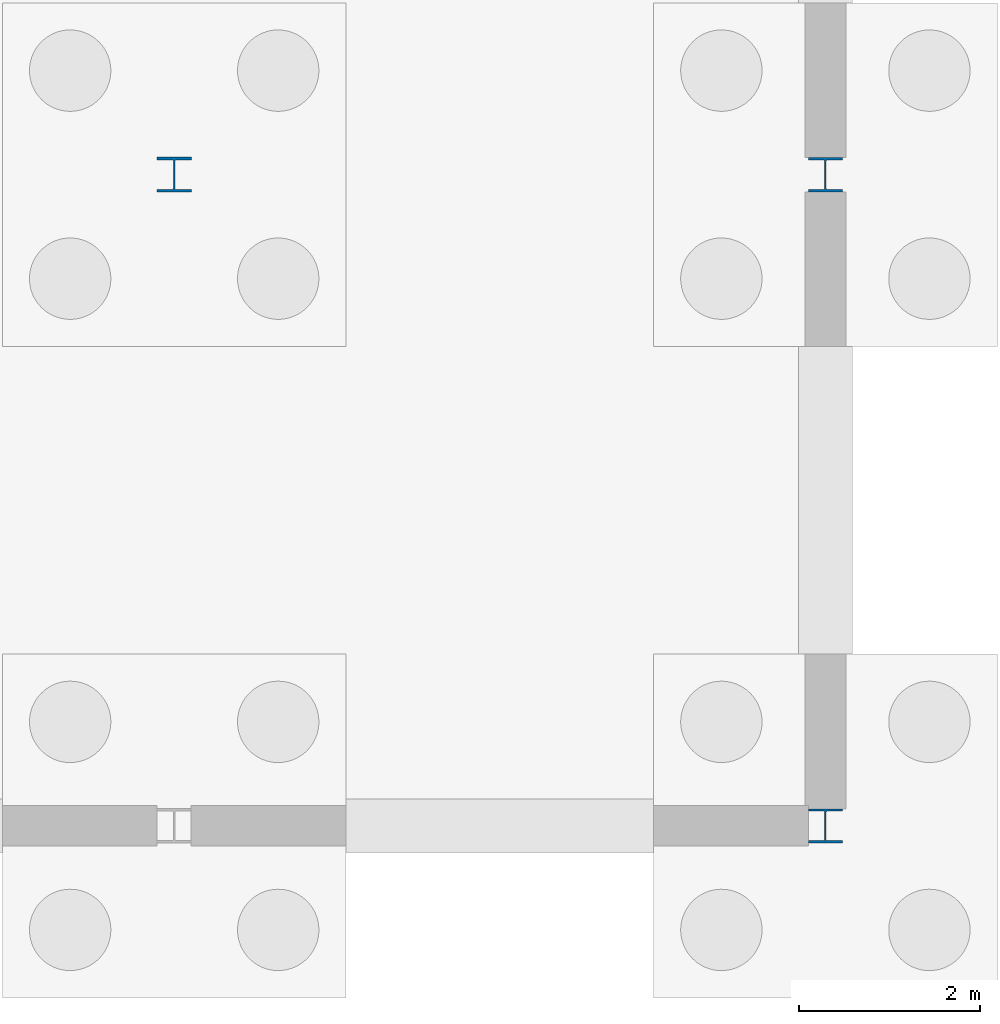
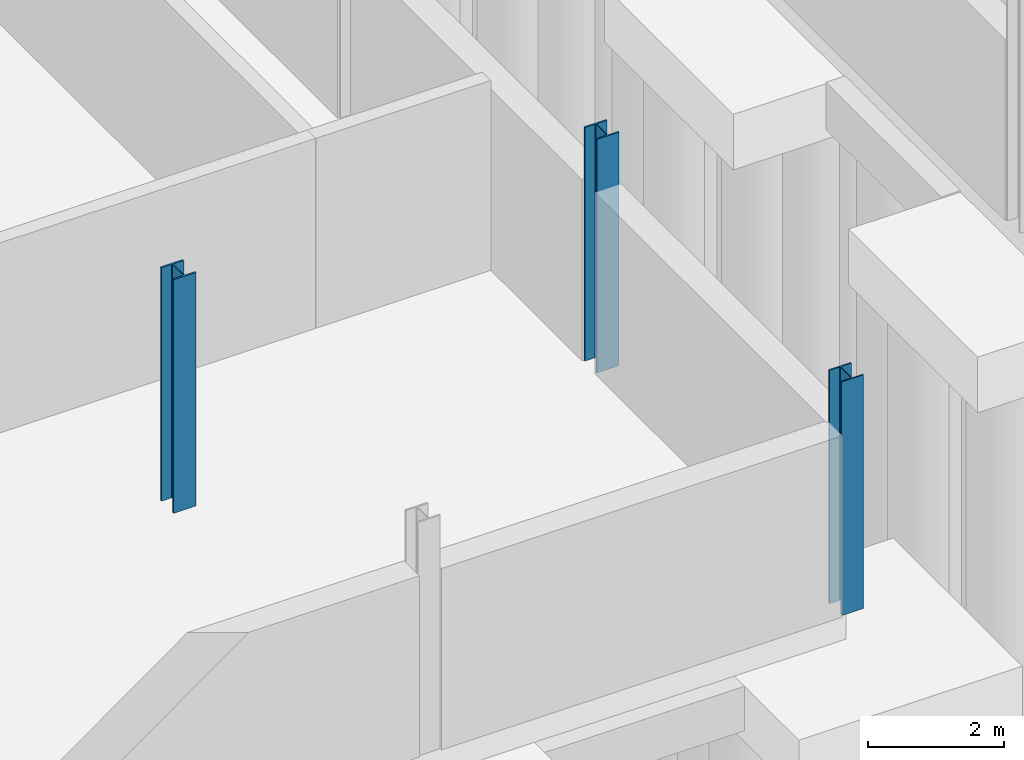
# One storey, part 11 of 50: 3 columns.
"""IFC4 building model written with IfcOpenShell, lengths in metres."""

import ifcopenshell
import ifcopenshell.guid

model = None  # the IFC model being written
_history = None  # IfcOwnerHistory: only IFC2X3 demands one
_inside = {}  # id of a spatial element -> (the spatial element, [elements in it])
_under = {}  # id of a project, library or spatial element -> (it, [spatial elements below it])
_declared = {}  # id of a project -> (the project, [libraries it declares])
_typed = {}  # id of a type object -> (the type object, [elements of that type])
_made_of = {}  # id of a material, layer set ... -> (it, [elements and type objects made of it])


def new_model(schema):
    """Start an empty IFC model of exactly this schema.

    Asked for "IFC4X3", IfcOpenShell would pick the latest addendum, in which some entities
    have other attributes; the version numbers below select the first issue.
    IFC2X3 requires an IfcOwnerHistory on every rooted entity: one is made here for all.
    """
    global model, _history
    if schema == "IFC4X3":
        model = ifcopenshell.file(schema_version=(4, 3, 0, 0))
    else:
        model = ifcopenshell.file(schema=schema)
    _inside.clear()
    _under.clear()
    _declared.clear()
    _typed.clear()
    _made_of.clear()
    _history = None
    if model.schema == "IFC2X3":
        org = make("IfcOrganization", Name="unknown")
        user = make(
            "IfcPersonAndOrganization",
            ThePerson=make("IfcPerson", FamilyName="unknown"),
            TheOrganization=org,
        )
        app = make(
            "IfcApplication",
            ApplicationDeveloper=org,
            Version="unknown",
            ApplicationFullName="unknown",
            ApplicationIdentifier="unknown",
        )
        _history = make(
            "IfcOwnerHistory",
            OwningUser=user,
            OwningApplication=app,
            ChangeAction="ADDED",
            CreationDate=0,
        )
    return model


def make(cls, **values):
    """One entity of the class cls with the attributes given. An attribute that is None is left unset."""
    return model.create_entity(
        cls, **{name: value for name, value in values.items() if value is not None}
    )


def rooted(cls, **values):
    """An entity with a GlobalId (a new one), such as an element, a storey or a relation."""
    return make(cls, GlobalId=ifcopenshell.guid.new(), OwnerHistory=_history, **values)


def si_unit(unit_type, name, prefix=None):
    """IfcSIUnit, for example si_unit("LENGTHUNIT", "METRE", prefix="MILLI")."""
    return make("IfcSIUnit", UnitType=unit_type, Prefix=prefix, Name=name)


def assignment(units):
    """IfcUnitAssignment: the units of a project."""
    return None if units is None else make("IfcUnitAssignment", Units=units)


def point(xyz):
    """IfcCartesianPoint."""
    return None if xyz is None else make("IfcCartesianPoint", Coordinates=xyz)


def direction(xyz):
    """IfcDirection."""
    return None if xyz is None else make("IfcDirection", DirectionRatios=xyz)


def frame(location, z_axis=None, x_axis=None):
    """IfcAxis2Placement3D, a coordinate frame: its origin and axes. An axis left out is left unset."""
    return make(
        "IfcAxis2Placement3D",
        Location=point(location),
        Axis=direction(z_axis),
        RefDirection=direction(x_axis),
    )


def frame_2d(location, x_axis=None):
    """IfcAxis2Placement2D, a coordinate frame in the plane: its origin and x axis."""
    return make(
        "IfcAxis2Placement2D", Location=point(location), RefDirection=direction(x_axis)
    )


def origin():
    """The frame at (0, 0, 0) with its axes left unset."""
    return frame((0.0, 0.0, 0.0))


def origin_2d():
    """The frame at (0, 0) in the plane with its x axis left unset."""
    return frame_2d((0.0, 0.0))


def place(relative_to, where):
    """IfcLocalPlacement: puts the frame where relative to a parent placement (None: the world)."""
    return make(
        "IfcLocalPlacement", PlacementRelTo=relative_to, RelativePlacement=where
    )


def context(
    kind, dimensions, precision=None, world=None, true_north=None, identifier=None
):
    """IfcGeometricRepresentationContext, for example the 3D "Model" context."""
    return make(
        "IfcGeometricRepresentationContext",
        ContextIdentifier=identifier,
        ContextType=kind,
        CoordinateSpaceDimension=dimensions,
        Precision=precision,
        WorldCoordinateSystem=world,
        TrueNorth=true_north,
    )


def subcontext(parent, identifier, kind, view, scale=None):
    """IfcGeometricRepresentationSubContext, for example "Body" below "Model"."""
    return make(
        "IfcGeometricRepresentationSubContext",
        ContextIdentifier=identifier,
        ContextType=kind,
        ParentContext=parent,
        TargetScale=scale,
        TargetView=view,
    )


def project(units=None, contexts=None):
    """IfcProject with its units and contexts."""
    return rooted(
        "IfcProject",
        Name="project",
        RepresentationContexts=contexts,
        UnitsInContext=assignment(units),
    )


def spatial(cls, under=None, at=None, **own):
    """A site, building, storey or space (cls), placed at a placement, below another one or the project."""
    s = rooted(cls, ObjectPlacement=at, **own)
    if under is not None:
        _under.setdefault(under.id(), (under, []))[1].append(s)
    return s


def profile(cls, at=None, kind="AREA", **sizes):
    """A parametric profile (cls). Its sizes go by their IFC names, for example OverallWidth=200.0."""
    return make(cls, ProfileType=kind, Position=at, **sizes)


def i_section(**sizes):
    """IfcIShapeProfileDef."""
    return profile("IfcIShapeProfileDef", **sizes)


def extrude(swept, where, along, depth):
    """IfcExtrudedAreaSolid: the profile swept, set in the frame where, extruded along a direction by depth."""
    return make(
        "IfcExtrudedAreaSolid",
        SweptArea=swept,
        Position=where,
        ExtrudedDirection=direction(along),
        Depth=depth,
    )


def shape(context_of_items, identifier, shape_type, items):
    """IfcShapeRepresentation: the items that make up one representation, for example the "Body"."""
    return make(
        "IfcShapeRepresentation",
        ContextOfItems=context_of_items,
        RepresentationIdentifier=identifier,
        RepresentationType=shape_type,
        Items=items,
    )


def material(Name=None, Category=None):
    """IfcMaterial."""
    return make("IfcMaterial", Name=Name, Category=Category)


def material_profile(
    of_material, cross_section, Name=None, Category=None, Priority=None
):
    """IfcMaterialProfile: a cross section and its material."""
    return make(
        "IfcMaterialProfile",
        Name=Name,
        Material=of_material,
        Profile=cross_section,
        Priority=Priority,
        Category=Category,
    )


def profile_set(profiles, Name=None, composite=None):
    """IfcMaterialProfileSet."""
    return make(
        "IfcMaterialProfileSet",
        Name=Name,
        MaterialProfiles=profiles,
        CompositeProfile=composite,
    )


def made_of(thing, what):
    """Note that an element or type object is made of a material, layer set ...; save() writes the relation."""
    if what is not None:
        _made_of.setdefault(what.id(), (what, []))[1].append(thing)
    return thing


def type_object(cls, material=None, **own):
    """A type object (cls), such as IfcWallType, which elements share."""
    return made_of(rooted(cls, **own), material)


def element(
    cls,
    number,
    at=None,
    inside=None,
    cuts=None,
    type_object=None,
    material=None,
    context=None,
    identifier="Body",
    shape_type=None,
    held_by="IfcProductDefinitionShape",
    body=None,
    shapes=None,
    **own,
):
    """One element of the class cls, such as IfcWall. Its Tag is "e" and its number.

    at: its placement. inside: the storey or other place that contains it. cuts: it is an
    opening in that element (IfcRelVoidsElement). A single representation is given by context,
    identifier, shape_type and body (its items); several are given by shapes. held_by: the class
    of the entity that holds the representations. save() writes the other relations.
    """
    e = rooted(cls, Tag="e%d" % number, ObjectPlacement=at, **own)
    if body is not None:
        shapes = [shape(context, identifier, shape_type, body)]
    if shapes is not None:
        e.Representation = make(held_by, Representations=shapes)
    if inside is not None:
        _inside.setdefault(inside.id(), (inside, []))[1].append(e)
    if cuts is not None:
        rooted(
            "IfcRelVoidsElement", RelatingBuildingElement=cuts, RelatedOpeningElement=e
        )
    if type_object is not None:
        _typed.setdefault(type_object.id(), (type_object, []))[1].append(e)
    return made_of(e, material)


def aggregate(whole, parts):
    """IfcRelAggregates: a whole, such as a stair, and the parts it consists of."""
    return rooted("IfcRelAggregates", RelatingObject=whole, RelatedObjects=parts)


def save(model, path):
    """Write the relations noted so far, then the file.

    IfcRelAggregates (storeys below a building ...), IfcRelContainedInSpatialStructure (elements
    in a storey), IfcRelDefinesByType, IfcRelAssociatesMaterial and IfcRelDeclares: one each for
    every whole, place, type object, material and project.
    """
    for whole, parts in _under.values():
        aggregate(whole, parts)
    for where, things in _inside.values():
        rooted(
            "IfcRelContainedInSpatialStructure",
            RelatedElements=things,
            RelatingStructure=where,
        )
    for kind, things in _typed.values():
        rooted("IfcRelDefinesByType", RelatedObjects=things, RelatingType=kind)
    for what, things in _made_of.values():
        rooted("IfcRelAssociatesMaterial", RelatedObjects=things, RelatingMaterial=what)
    for by, libraries in _declared.values():
        rooted("IfcRelDeclares", RelatingContext=by, RelatedDefinitions=libraries)
    model.write(path)


model = new_model("IFC4")

# Units and contexts
model_context = context("Model", 3, precision=1e-05, world=origin(), true_north=direction((0.0, 1.0)))
body_context = subcontext(model_context, "Body", "Model", "MODEL_VIEW")
ifc_project = project(units=[si_unit("LENGTHUNIT", "METRE"), si_unit("AREAUNIT", "SQUARE_METRE"), si_unit("VOLUMEUNIT", "CUBIC_METRE"), si_unit("PLANEANGLEUNIT", "RADIAN"), si_unit("MASSUNIT", "GRAM", prefix="KILO")], contexts=[model_context])

# Site, building, storey
site_placement = place(None, origin())
site = spatial("IfcSite", under=ifc_project, at=site_placement, CompositionType="ELEMENT")
building_placement = place(site_placement, origin())
building = spatial("IfcBuilding", under=site, at=building_placement, Name="Narikvali Park Central Library", CompositionType="ELEMENT")
storey_placement = place(building_placement, frame((0.0, 0.0, -4.199951171875)))
storey = spatial("IfcBuildingStorey", under=building, at=storey_placement, Name="B1", CompositionType="ELEMENT", Elevation=-4.199951171875)

# Columns
ifc_material = material(Name="Steel S355", Category="steel")
ifc_material_profile_1 = material_profile(ifc_material, i_section(OverallWidth=0.375, OverallDepth=0.375, WebThickness=0.014892578125, FlangeThickness=0.0244140625, FilletRadius=0.014892578125, at=origin_2d()), Name="HD 360x216")
ifc_profile_set_1 = profile_set([ifc_material_profile_1], Name="Steel S355")
column_type_1 = type_object("IfcColumnType", Name="Atrium Corner Column HD360x216", PredefinedType="COLUMN", material=ifc_profile_set_1)
column_1_placement = place(storey_placement, frame((57.60009765625, 50.39990234375, 0.0), z_axis=(0.0, 0.0, 1.0), x_axis=(1.0, 0.0, 0.0)))
element("IfcColumn", 1, at=column_1_placement, inside=storey, type_object=column_type_1, Name="V4 B1 Column (57.6,50.4)", PredefinedType="COLUMN", context=body_context, shape_type="SweptSolid", body=[
    extrude(i_section(OverallWidth=0.375, OverallDepth=0.375, WebThickness=0.014892578125, FlangeThickness=0.0244140625, FilletRadius=0.014892578125, at=origin_2d()), origin(), (0.0, 0.0, 1.0), 4.199951171875),
])
ifc_material_profile_2 = material_profile(ifc_material, i_section(OverallWidth=0.3759765625, OverallDepth=0.3798828125, WebThickness=0.0166015625, FlangeThickness=0.026611328125, FilletRadius=0.014892578125, at=origin_2d()), Name="HD 360x237")
ifc_profile_set_2 = profile_set([ifc_material_profile_2], Name="Steel S355")
column_type_2 = type_object("IfcColumnType", Name="Atrium Edge Column HD360x237", PredefinedType="COLUMN", material=ifc_profile_set_2)
column_2_placement = place(storey_placement, frame((57.60009765625, 57.60009765625, 0.0), z_axis=(0.0, 0.0, 1.0), x_axis=(1.0, 0.0, 0.0)))
element("IfcColumn", 2, at=column_2_placement, inside=storey, type_object=column_type_2, Name="V4 B1 Column (57.6,57.6)", PredefinedType="COLUMN", context=body_context, shape_type="SweptSolid", body=[
    extrude(i_section(OverallWidth=0.3759765625, OverallDepth=0.3798828125, WebThickness=0.0166015625, FlangeThickness=0.026611328125, FilletRadius=0.014892578125, at=origin_2d()), origin(), (0.0, 0.0, 1.0), 4.199951171875),
])
ifc_material_profile_3 = material_profile(ifc_material, i_section(OverallWidth=0.3779296875, OverallDepth=0.386962890625, WebThickness=0.01806640625, FlangeThickness=0.029052734375, FilletRadius=0.014892578125, at=origin_2d()), Name="HD 360x262")
ifc_profile_set_3 = profile_set([ifc_material_profile_3], Name="Steel S355")
column_type_3 = type_object("IfcColumnType", Name="Atrium Interior Column HD360x262", PredefinedType="COLUMN", material=ifc_profile_set_3)
column_3_placement = place(storey_placement, frame((50.39990234375, 57.60009765625, 0.0), z_axis=(0.0, 0.0, 1.0), x_axis=(1.0, 0.0, 0.0)))
element("IfcColumn", 3, at=column_3_placement, inside=storey, type_object=column_type_3, Name="V4 B1 Column (50.4,57.6)", PredefinedType="COLUMN", context=body_context, shape_type="SweptSolid", body=[
    extrude(i_section(OverallWidth=0.3779296875, OverallDepth=0.386962890625, WebThickness=0.01806640625, FlangeThickness=0.029052734375, FilletRadius=0.014892578125, at=origin_2d()), origin(), (0.0, 0.0, 1.0), 4.199951171875),
])

save(model, "model.ifc")
